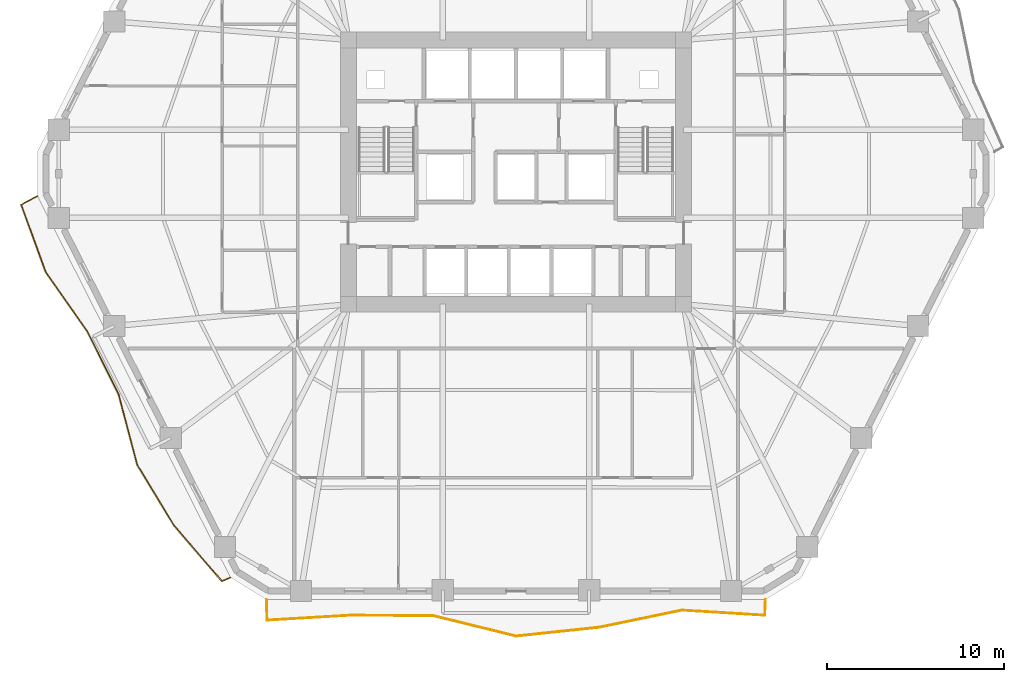
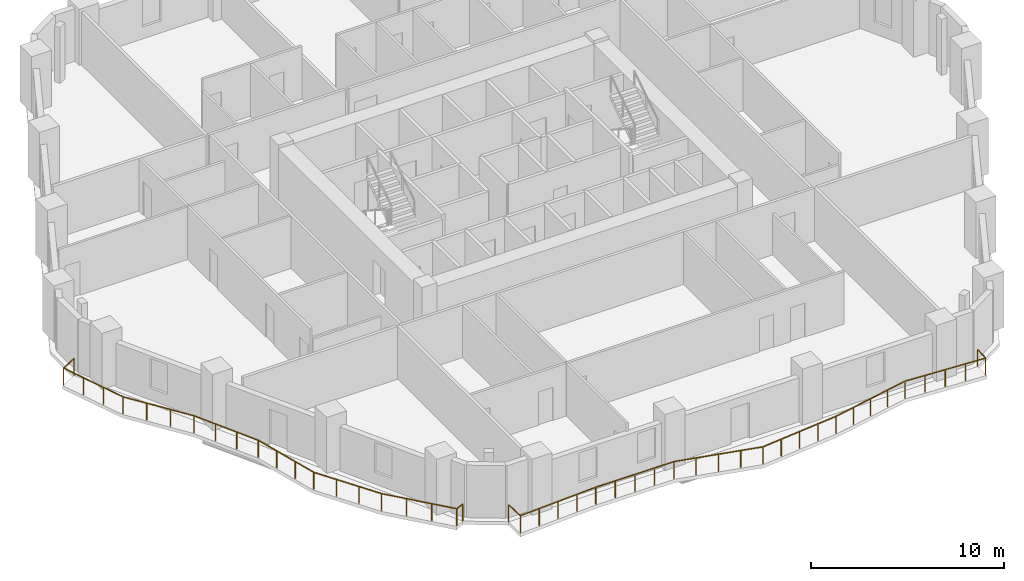
# One storey, part 9 of 11: 2 railings.
"""IFC4 building model written with IfcOpenShell, lengths in metres."""

from ifc_helpers import new_model, si_unit, direction, frame, origin, origin_2d, place, context, subcontext, project, spatial, rectangle, extrude, material, type_object, element, save


model = new_model("IFC4")

# Units and contexts
model_context = context("Model", 3, precision=1e-05, world=origin(), true_north=direction((0.0, 1.0)))
body_context = subcontext(model_context, "Body", "Model", "MODEL_VIEW")
ifc_project = project(units=[si_unit("LENGTHUNIT", "METRE"), si_unit("AREAUNIT", "SQUARE_METRE"), si_unit("VOLUMEUNIT", "CUBIC_METRE"), si_unit("PLANEANGLEUNIT", "RADIAN"), si_unit("MASSUNIT", "GRAM", prefix="KILO")], contexts=[model_context])

# Site, building, storey
site_placement = place(None, origin())
site = spatial("IfcSite", under=ifc_project, at=site_placement, CompositionType="ELEMENT")
building_placement = place(site_placement, origin())
building = spatial("IfcBuilding", under=site, at=building_placement, Name="Cinnabar Lancet Tower", CompositionType="ELEMENT")
storey_placement = place(building_placement, frame((0.0, 0.0, 46.199951171875)))
storey = spatial("IfcBuildingStorey", under=building, at=storey_placement, Name="L11", CompositionType="ELEMENT", Elevation=46.199951171875)

# Railings
ifc_material = material(Name="Laminated safety glass and bronze stainless steel balustrade", Category="steel")
railing_type = type_object("IfcRailingType", Name="ENV-RLG-BAL-1100", PredefinedType="BALUSTRADE", material=ifc_material)
railing_1_placement = place(storey_placement, frame((18.343994140625, 1.800048828125, 0.0)))
element("IfcRailing", 1, at=railing_1_placement, inside=storey, type_object=railing_type, Name="L11 Face 1 Wave Balcony Balustrade", PredefinedType="BALUSTRADE", context=body_context, shape_type="SweptSolid", body=[
    extrude(rectangle(XDim=0.048095703125, YDim=0.048095703125, at=origin_2d()), frame((0.0, 0.0, 1.076171875), z_axis=(0.029343219833, -0.999569395015, 0.0), x_axis=(0.999569395015, 0.029343219833, 0.0)), (0.0, 0.0, 1.0), 1.156494140625),
    extrude(rectangle(XDim=0.048095703125, YDim=0.048095703125, at=origin_2d()), frame((0.033935546875, -1.156005859375, 1.076171875), z_axis=(0.998276349618, 0.058688412764, 0.0), x_axis=(-0.058688412764, 0.998276349618, 0.0)), (0.0, 0.0, 1.0), 4.68408203125),
    extrude(rectangle(XDim=0.048095703125, YDim=0.048095703125, at=origin_2d()), frame((4.7099609375, -0.881103515625, 1.076171875), z_axis=(0.999989910966, -0.004491989153, 0.0), x_axis=(0.004491989153, 0.999989910966, 0.0)), (0.0, 0.0, 1.0), 4.674072265625),
    extrude(rectangle(XDim=0.048095703125, YDim=0.048095703125, at=origin_2d()), frame((9.384033203125, -0.902099609375, 1.076171875), z_axis=(0.970925314243, -0.239382610399, 0.0), x_axis=(0.239382610399, 0.970925314243, 0.0)), (0.0, 0.0, 1.0), 4.811767578125),
    extrude(rectangle(XDim=0.048095703125, YDim=0.048095703125, at=origin_2d()), frame((14.055908203125, -2.053955078125, 1.076171875), z_axis=(0.994437191162, 0.105331252886, 0.0), x_axis=(-0.105331252886, 0.994437191162, 0.0)), (0.0, 0.0, 1.0), 4.6982421875),
    extrude(rectangle(XDim=0.048095703125, YDim=0.048095703125, at=origin_2d()), frame((18.72802734375, -1.55908203125, 1.076171875), z_axis=(0.979341883167, 0.202211463262, 0.0), x_axis=(-0.202211463262, 0.979341883167, 0.0)), (0.0, 0.0, 1.0), 4.772705078125),
    extrude(rectangle(XDim=0.048095703125, YDim=0.048095703125, at=origin_2d()), frame((23.402099609375, -0.593994140625, 1.076171875), z_axis=(0.99813304405, -0.0610772165, 0.0), x_axis=(0.0610772165, 0.99813304405, 0.0)), (0.0, 0.0, 1.0), 4.684814453125),
    extrude(rectangle(XDim=0.048095703125, YDim=0.048095703125, at=origin_2d()), frame((28.078125, -0.880126953125, 1.076171875), z_axis=(0.038528929385, 0.999257485136, 0.0), x_axis=(-0.999257485136, 0.038528929385, 0.0)), (0.0, 0.0, 1.0), 0.880859375),
    extrude(rectangle(XDim=0.0419921875, YDim=0.0419921875, at=origin_2d()), origin(), (0.0, 0.0, 1.0), 1.052001953125),
    extrude(rectangle(XDim=0.0419921875, YDim=0.0419921875, at=origin_2d()), frame((0.033935546875, -1.156005859375, 0.0)), (0.0, 0.0, 1.0), 1.052001953125),
    extrude(rectangle(XDim=0.0419921875, YDim=0.0419921875, at=origin_2d()), frame((1.202880859375, -1.08740234375, 0.0)), (0.0, 0.0, 1.0), 1.052001953125),
    extrude(rectangle(XDim=0.0419921875, YDim=0.0419921875, at=origin_2d()), frame((2.3720703125, -1.0185546875, 0.0)), (0.0, 0.0, 1.0), 1.052001953125),
    extrude(rectangle(XDim=0.0419921875, YDim=0.0419921875, at=origin_2d()), frame((3.541015625, -0.94970703125, 0.0)), (0.0, 0.0, 1.0), 1.052001953125),
    extrude(rectangle(XDim=0.0419921875, YDim=0.0419921875, at=origin_2d()), frame((4.7099609375, -0.881103515625, 0.0)), (0.0, 0.0, 1.0), 1.052001953125),
    extrude(rectangle(XDim=0.0419921875, YDim=0.0419921875, at=origin_2d()), frame((5.87841796875, -0.88623046875, 0.0)), (0.0, 0.0, 1.0), 1.052001953125),
    extrude(rectangle(XDim=0.0419921875, YDim=0.0419921875, at=origin_2d()), frame((7.046875, -0.8916015625, 0.0)), (0.0, 0.0, 1.0), 1.052001953125),
    extrude(rectangle(XDim=0.0419921875, YDim=0.0419921875, at=origin_2d()), frame((8.215576171875, -0.89697265625, 0.0)), (0.0, 0.0, 1.0), 1.052001953125),
    extrude(rectangle(XDim=0.0419921875, YDim=0.0419921875, at=origin_2d()), frame((9.384033203125, -0.902099609375, 0.0)), (0.0, 0.0, 1.0), 1.052001953125),
    extrude(rectangle(XDim=0.0419921875, YDim=0.0419921875, at=origin_2d()), frame((10.552001953125, -1.18994140625, 0.0)), (0.0, 0.0, 1.0), 1.052001953125),
    extrude(rectangle(XDim=0.0419921875, YDim=0.0419921875, at=origin_2d()), frame((11.719970703125, -1.47802734375, 0.0)), (0.0, 0.0, 1.0), 1.052001953125),
    extrude(rectangle(XDim=0.0419921875, YDim=0.0419921875, at=origin_2d()), frame((12.887939453125, -1.76611328125, 0.0)), (0.0, 0.0, 1.0), 1.052001953125),
    extrude(rectangle(XDim=0.0419921875, YDim=0.0419921875, at=origin_2d()), frame((14.055908203125, -2.053955078125, 0.0)), (0.0, 0.0, 1.0), 1.052001953125),
    extrude(rectangle(XDim=0.0419921875, YDim=0.0419921875, at=origin_2d()), frame((15.223876953125, -1.93017578125, 0.0)), (0.0, 0.0, 1.0), 1.052001953125),
    extrude(rectangle(XDim=0.0419921875, YDim=0.0419921875, at=origin_2d()), frame((16.39208984375, -1.806640625, 0.0)), (0.0, 0.0, 1.0), 1.052001953125),
    extrude(rectangle(XDim=0.0419921875, YDim=0.0419921875, at=origin_2d()), frame((17.56005859375, -1.682861328125, 0.0)), (0.0, 0.0, 1.0), 1.052001953125),
    extrude(rectangle(XDim=0.0419921875, YDim=0.0419921875, at=origin_2d()), frame((18.72802734375, -1.55908203125, 0.0)), (0.0, 0.0, 1.0), 1.052001953125),
    extrude(rectangle(XDim=0.0419921875, YDim=0.0419921875, at=origin_2d()), frame((19.896484375, -1.31787109375, 0.0)), (0.0, 0.0, 1.0), 1.052001953125),
    extrude(rectangle(XDim=0.0419921875, YDim=0.0419921875, at=origin_2d()), frame((21.06494140625, -1.07666015625, 0.0)), (0.0, 0.0, 1.0), 1.052001953125),
    extrude(rectangle(XDim=0.0419921875, YDim=0.0419921875, at=origin_2d()), frame((22.233642578125, -0.835205078125, 0.0)), (0.0, 0.0, 1.0), 1.052001953125),
    extrude(rectangle(XDim=0.0419921875, YDim=0.0419921875, at=origin_2d()), frame((23.402099609375, -0.593994140625, 0.0)), (0.0, 0.0, 1.0), 1.052001953125),
    extrude(rectangle(XDim=0.0419921875, YDim=0.0419921875, at=origin_2d()), frame((24.571044921875, -0.66552734375, 0.0)), (0.0, 0.0, 1.0), 1.052001953125),
    extrude(rectangle(XDim=0.0419921875, YDim=0.0419921875, at=origin_2d()), frame((25.740234375, -0.737060546875, 0.0)), (0.0, 0.0, 1.0), 1.052001953125),
    extrude(rectangle(XDim=0.0419921875, YDim=0.0419921875, at=origin_2d()), frame((26.9091796875, -0.80859375, 0.0)), (0.0, 0.0, 1.0), 1.052001953125),
    extrude(rectangle(XDim=0.0419921875, YDim=0.0419921875, at=origin_2d()), frame((28.078125, -0.880126953125, 0.0)), (0.0, 0.0, 1.0), 1.052001953125),
    extrude(rectangle(XDim=0.0419921875, YDim=0.0419921875, at=origin_2d()), frame((28.112060546875, 0.0, 0.0)), (0.0, 0.0, 1.0), 1.052001953125),
])
railing_2_placement = place(storey_placement, frame((5.431884765625, 24.551025390625, 0.0)))
element("IfcRailing", 2, at=railing_2_placement, inside=storey, type_object=railing_type, Name="L11 Face 6 Wave Balcony Balustrade", PredefinedType="BALUSTRADE", context=body_context, shape_type="SweptSolid", body=[
    extrude(rectangle(XDim=0.048095703125, YDim=0.048095703125, at=origin_2d()), frame((0.0, 0.0, 1.076171875), z_axis=(-0.879485219197, -0.475926201436, 0.0), x_axis=(0.475926201436, -0.879485219197, 0.0)), (0.0, 0.0, 1.0), 1.03564453125),
    extrude(rectangle(XDim=0.048095703125, YDim=0.048095703125, at=origin_2d()), frame((-0.910888671875, -0.492919921875, 1.076171875), z_axis=(0.341218384585, -0.939984049876, 0.0), x_axis=(0.939984049876, 0.341218384585, 0.0)), (0.0, 0.0, 1.0), 4.035400390625),
    extrude(rectangle(XDim=0.048095703125, YDim=0.048095703125, at=origin_2d()), frame((0.466064453125, -4.2861328125, 1.076171875), z_axis=(0.575072077403, -0.818102747698, 0.0), x_axis=(0.818102747698, 0.575072077403, 0.0)), (0.0, 0.0, 1.0), 4.04833984375),
    extrude(rectangle(XDim=0.048095703125, YDim=0.048095703125, at=origin_2d()), frame((2.794189453125, -7.59814453125, 1.076171875), z_axis=(0.445115696914, -0.895473068473, 0.0), x_axis=(0.895473068473, 0.445115696914, 0.0)), (0.0, 0.0, 1.0), 4.005615234375),
    extrude(rectangle(XDim=0.048095703125, YDim=0.048095703125, at=origin_2d()), frame((4.5771484375, -11.18505859375, 1.076171875), z_axis=(0.255079969724, -0.96691996, 0.0), x_axis=(0.96691996, 0.255079969724, 0.0)), (0.0, 0.0, 1.0), 4.096435546875),
    extrude(rectangle(XDim=0.048095703125, YDim=0.048095703125, at=origin_2d()), frame((5.6220703125, -15.14599609375, 1.076171875), z_axis=(0.519044713793, -0.854747088374, 0.0), x_axis=(0.854747088374, 0.519044713793, 0.0)), (0.0, 0.0, 1.0), 4.018798828125),
    extrude(rectangle(XDim=0.048095703125, YDim=0.048095703125, at=origin_2d()), frame((7.7080078125, -18.5810546875, 1.076171875), z_axis=(0.652723128043, -0.75759654046, 0.0), x_axis=(0.75759654046, 0.652723128043, 0.0)), (0.0, 0.0, 1.0), 4.12744140625),
    extrude(rectangle(XDim=0.048095703125, YDim=0.048095703125, at=origin_2d()), frame((10.402099609375, -21.7080078125, 1.076171875), z_axis=(0.918318207495, 0.395842986275, 0.0), x_axis=(-0.395842986275, 0.918318207495, 0.0)), (0.0, 0.0, 1.0), 0.5205078125),
    extrude(rectangle(XDim=0.0419921875, YDim=0.0419921875, at=origin_2d()), origin(), (0.0, 0.0, 1.0), 1.052001953125),
    extrude(rectangle(XDim=0.0419921875, YDim=0.0419921875, at=origin_2d()), frame((-0.910888671875, -0.492919921875, 0.0)), (0.0, 0.0, 1.0), 1.052001953125),
    extrude(rectangle(XDim=0.0419921875, YDim=0.0419921875, at=origin_2d()), frame((-0.451904296875, -1.75732421875, 0.0)), (0.0, 0.0, 1.0), 1.052001953125),
    extrude(rectangle(XDim=0.0419921875, YDim=0.0419921875, at=origin_2d()), frame((0.007080078125, -3.021728515625, 0.0)), (0.0, 0.0, 1.0), 1.052001953125),
    extrude(rectangle(XDim=0.0419921875, YDim=0.0419921875, at=origin_2d()), frame((0.466064453125, -4.2861328125, 0.0)), (0.0, 0.0, 1.0), 1.052001953125),
    extrude(rectangle(XDim=0.0419921875, YDim=0.0419921875, at=origin_2d()), frame((1.2421875, -5.39013671875, 0.0)), (0.0, 0.0, 1.0), 1.052001953125),
    extrude(rectangle(XDim=0.0419921875, YDim=0.0419921875, at=origin_2d()), frame((2.01806640625, -6.494140625, 0.0)), (0.0, 0.0, 1.0), 1.052001953125),
    extrude(rectangle(XDim=0.0419921875, YDim=0.0419921875, at=origin_2d()), frame((2.794189453125, -7.59814453125, 0.0)), (0.0, 0.0, 1.0), 1.052001953125),
    extrude(rectangle(XDim=0.0419921875, YDim=0.0419921875, at=origin_2d()), frame((3.388427734375, -8.793701171875, 0.0)), (0.0, 0.0, 1.0), 1.052001953125),
    extrude(rectangle(XDim=0.0419921875, YDim=0.0419921875, at=origin_2d()), frame((3.98291015625, -9.989501953125, 0.0)), (0.0, 0.0, 1.0), 1.052001953125),
    extrude(rectangle(XDim=0.0419921875, YDim=0.0419921875, at=origin_2d()), frame((4.5771484375, -11.18505859375, 0.0)), (0.0, 0.0, 1.0), 1.052001953125),
    extrude(rectangle(XDim=0.0419921875, YDim=0.0419921875, at=origin_2d()), frame((4.925537109375, -12.50537109375, 0.0)), (0.0, 0.0, 1.0), 1.052001953125),
    extrude(rectangle(XDim=0.0419921875, YDim=0.0419921875, at=origin_2d()), frame((5.273681640625, -13.82568359375, 0.0)), (0.0, 0.0, 1.0), 1.052001953125),
    extrude(rectangle(XDim=0.0419921875, YDim=0.0419921875, at=origin_2d()), frame((5.6220703125, -15.14599609375, 0.0)), (0.0, 0.0, 1.0), 1.052001953125),
    extrude(rectangle(XDim=0.0419921875, YDim=0.0419921875, at=origin_2d()), frame((6.3173828125, -16.291015625, 0.0)), (0.0, 0.0, 1.0), 1.052001953125),
    extrude(rectangle(XDim=0.0419921875, YDim=0.0419921875, at=origin_2d()), frame((7.0126953125, -17.43603515625, 0.0)), (0.0, 0.0, 1.0), 1.052001953125),
    extrude(rectangle(XDim=0.0419921875, YDim=0.0419921875, at=origin_2d()), frame((7.7080078125, -18.5810546875, 0.0)), (0.0, 0.0, 1.0), 1.052001953125),
    extrude(rectangle(XDim=0.0419921875, YDim=0.0419921875, at=origin_2d()), frame((8.60595703125, -19.623291015625, 0.0)), (0.0, 0.0, 1.0), 1.052001953125),
    extrude(rectangle(XDim=0.0419921875, YDim=0.0419921875, at=origin_2d()), frame((9.504150390625, -20.665771484375, 0.0)), (0.0, 0.0, 1.0), 1.052001953125),
    extrude(rectangle(XDim=0.0419921875, YDim=0.0419921875, at=origin_2d()), frame((10.402099609375, -21.7080078125, 0.0)), (0.0, 0.0, 1.0), 1.052001953125),
    extrude(rectangle(XDim=0.0419921875, YDim=0.0419921875, at=origin_2d()), frame((10.880126953125, -21.501953125, 0.0)), (0.0, 0.0, 1.0), 1.052001953125),
])

save(model, "model.ifc")
